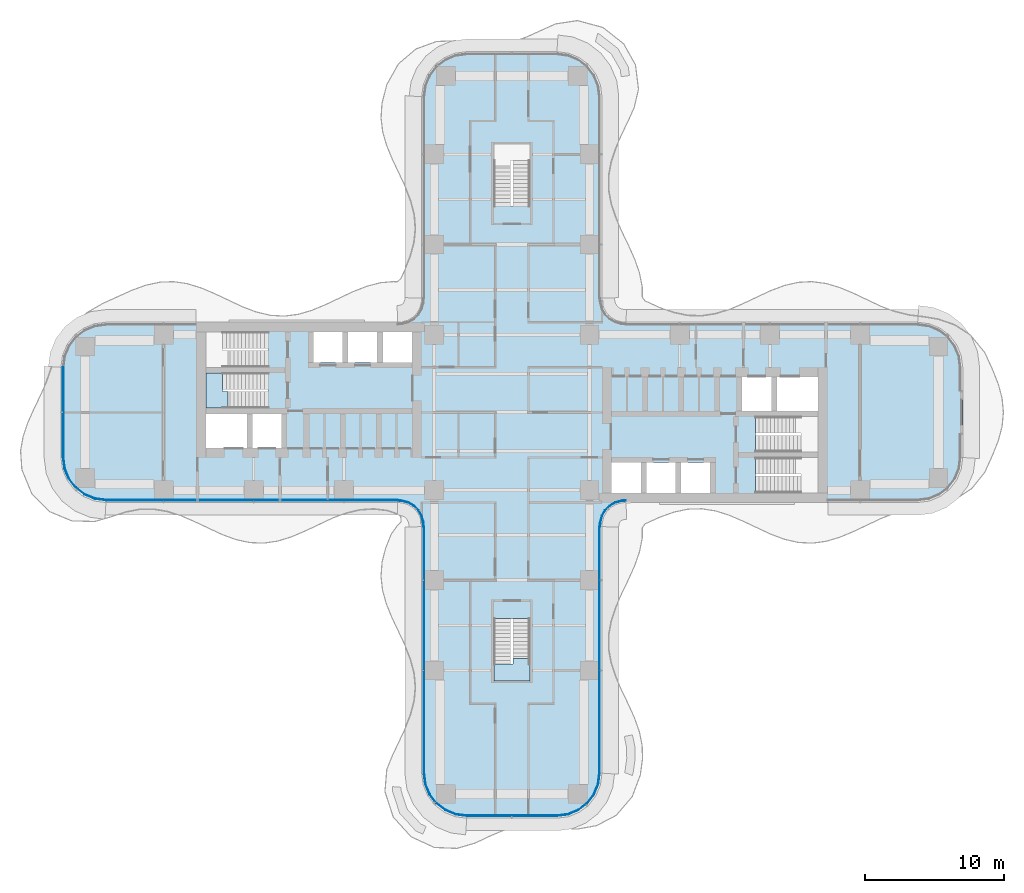
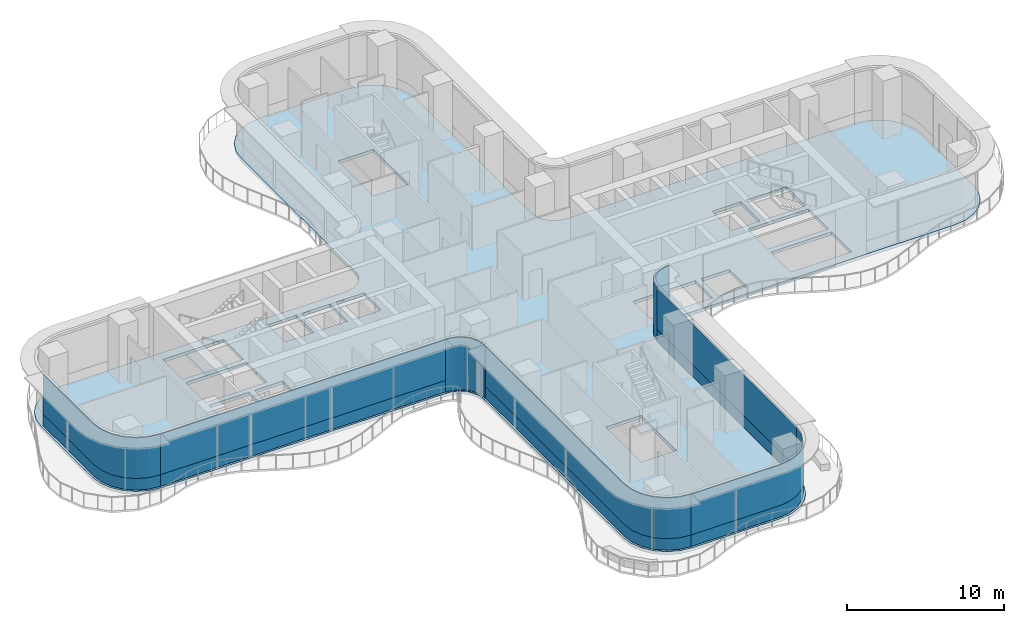
# One storey, part 14 of 22: 12 plates, 3 slabs, 9 elements without a shape of their own.
"""IFC4 building model written with IfcOpenShell, lengths in metres."""

from ifc_helpers import new_model, si_unit, direction, frame, origin, place, context, subcontext, project, spatial, polyline, outline, extrude, source, transform, mapped, material, layer, layer_set, type_object, element, aggregate, save


model = new_model("IFC4")

# Units and contexts
model_context = context("Model", 3, precision=1e-05, world=origin(), true_north=direction((0.0, 1.0)))
body_context = subcontext(model_context, "Body", "Model", "MODEL_VIEW")
ifc_project = project(units=[si_unit("LENGTHUNIT", "METRE"), si_unit("AREAUNIT", "SQUARE_METRE"), si_unit("VOLUMEUNIT", "CUBIC_METRE"), si_unit("PLANEANGLEUNIT", "RADIAN"), si_unit("MASSUNIT", "GRAM", prefix="KILO")], contexts=[model_context])

# Site, building, storey
site_placement = place(None, origin())
site = spatial("IfcSite", under=ifc_project, at=site_placement, CompositionType="ELEMENT")
building_placement = place(site_placement, origin())
building = spatial("IfcBuilding", under=site, at=building_placement, Name="Trellis Farm Tower", CompositionType="ELEMENT")
storey_placement = place(building_placement, frame((0.0, 0.0, 79.0)))
storey = spatial("IfcBuildingStorey", under=building, at=storey_placement, Name="L16", CompositionType="ELEMENT", Elevation=79.0)

# Slab
ifc_material_1 = material(Name="Concrete C40/50", Category="concrete")
ifc_layer_1 = layer(ifc_material_1, 0.25)
ifc_layer_set_1 = layer_set([ifc_layer_1], Name="Composite deck floor slab 250")
slab_type_1 = type_object("IfcSlabType", Name="Composite deck floor slab 250", PredefinedType="FLOOR", material=ifc_layer_set_1)
shared_shape_1 = source(origin(), body_context, "Body", "SweptSolid", [
    extrude(outline(polyline([(-30.09130859375, -6.389404296875), (-30.875, -6.064697265625), (-31.548095703125, -5.548095703125), (-32.064697265625, -4.875), (-32.389404296875, -4.09130859375), (-32.5, -3.25), (-32.5, 3.25), (-32.389404296875, 4.09130859375), (-32.064697265625, 4.875), (-31.548095703125, 5.548095703125), (-30.875, 6.064697265625), (-30.09130859375, 6.389404296875), (-29.25, 6.5), (-8.2314453125, 6.5), (-8.01953125, 6.513916015625), (-7.91552734375, 6.527587890625), (-7.508544921875, 6.63671875), (-7.144287109375, 6.846923828125), (-6.846923828125, 7.144287109375), (-6.63671875, 7.508544921875), (-6.527587890625, 7.91552734375), (-6.513916015625, 8.01953125), (-6.5, 8.2314453125), (-6.5, 22.75), (-6.389404296875, 23.59130859375), (-6.064697265625, 24.375), (-5.548095703125, 25.048095703125), (-4.875, 25.564697265625), (-4.09130859375, 25.889404296875), (-3.25, 26.0), (3.25, 26.0), (4.09130859375, 25.889404296875), (4.875, 25.564697265625), (5.548095703125, 25.048095703125), (6.064697265625, 24.375), (6.389404296875, 23.59130859375), (6.5, 22.75), (6.5, 8.2314453125), (6.513916015625, 8.01953125), (6.527587890625, 7.91552734375), (6.63671875, 7.508544921875), (6.846923828125, 7.144287109375), (7.144287109375, 6.846923828125), (7.508544921875, 6.63671875), (7.91552734375, 6.527587890625), (8.01953125, 6.513916015625), (8.2314453125, 6.5), (29.25, 6.5), (30.09130859375, 6.389404296875), (30.875, 6.064697265625), (31.548095703125, 5.548095703125), (32.064697265625, 4.875), (32.389404296875, 4.09130859375), (32.5, 3.25), (32.5, -3.25), (32.389404296875, -4.09130859375), (32.064697265625, -4.875), (31.548095703125, -5.548095703125), (30.875, -6.064697265625), (30.09130859375, -6.389404296875), (29.25, -6.5), (8.2314453125, -6.5), (8.01953125, -6.513916015625), (7.91552734375, -6.527587890625), (7.508544921875, -6.63671875), (7.144287109375, -6.846923828125), (6.846923828125, -7.144287109375), (6.63671875, -7.508544921875), (6.527587890625, -7.91552734375), (6.513916015625, -8.01953125), (6.5, -8.2314453125), (6.5, -26.0), (6.389404296875, -26.84130859375), (6.064697265625, -27.625), (5.548095703125, -28.298095703125), (4.875, -28.814697265625), (4.09130859375, -29.139404296875), (3.25, -29.25), (-3.25, -29.25), (-4.09130859375, -29.139404296875), (-4.875, -28.814697265625), (-5.548095703125, -28.298095703125), (-6.064697265625, -27.625), (-6.389404296875, -26.84130859375), (-6.5, -26.0), (-6.5, -8.2314453125), (-6.513916015625, -8.01953125), (-6.527587890625, -7.91552734375), (-6.63671875, -7.508544921875), (-6.846923828125, -7.144287109375), (-7.144287109375, -6.846923828125), (-7.508544921875, -6.63671875), (-7.91552734375, -6.527587890625), (-8.01953125, -6.513916015625), (-8.2314453125, -6.5), (-29.25, -6.5), (-30.09130859375, -6.389404296875)]), holes=[polyline([(-22.050048828125, -0.10009765625), (-22.050048828125, -2.550048828125), (-19.10009765625, -2.550048828125), (-19.10009765625, -0.10009765625), (-22.050048828125, -0.10009765625)]), polyline([(-18.699951171875, -0.10009765625), (-18.699951171875, -2.550048828125), (-16.60009765625, -2.550048828125), (-16.60009765625, -0.10009765625), (-18.699951171875, -0.10009765625)]), polyline([(-17.56201171875, 1.64990234375), (-17.56201171875, 2.85009765625), (-22.050048828125, 2.85009765625), (-22.050048828125, 0.300048828125), (-17.56005859375, 0.300048828125), (-17.56005859375, 1.5), (-17.550048828125, 1.5), (-17.550048828125, 1.64990234375), (-17.56201171875, 1.64990234375)]), polyline([(-17.56201171875, 4.60009765625), (-17.56201171875, 5.800048828125), (-22.050048828125, 5.800048828125), (-22.050048828125, 3.25), (-17.56005859375, 3.25), (-17.56005859375, 4.449951171875), (-17.550048828125, 4.449951171875), (-17.550048828125, 4.60009765625), (-17.56201171875, 4.60009765625)]), polyline([(-14.300048828125, 5.800048828125), (-14.300048828125, 3.60009765625), (-12.199951171875, 3.60009765625), (-12.199951171875, 5.800048828125), (-14.300048828125, 5.800048828125)]), polyline([(-11.800048828125, 5.800048828125), (-11.800048828125, 3.60009765625), (-9.699951171875, 3.60009765625), (-9.699951171875, 5.800048828125), (-11.800048828125, 5.800048828125)]), polyline([(-9.300048828125, 5.800048828125), (-9.300048828125, 3.60009765625), (-7.199951171875, 3.60009765625), (-7.199951171875, 5.800048828125), (-9.300048828125, 5.800048828125)]), polyline([(0.10009765625, 14.862060546875), (1.300048828125, 14.862060546875), (1.300048828125, 19.35009765625), (-1.300048828125, 19.35009765625), (-1.300048828125, 14.860107421875), (-0.10009765625, 14.860107421875), (-0.10009765625, 14.85009765625), (0.10009765625, 14.85009765625), (0.10009765625, 14.862060546875)]), polyline([(-0.10009765625, -14.862060546875), (-1.300048828125, -14.862060546875), (-1.300048828125, -19.35009765625), (1.300048828125, -19.35009765625), (1.300048828125, -14.860107421875), (0.10009765625, -14.860107421875), (0.10009765625, -14.85009765625), (-0.10009765625, -14.85009765625), (-0.10009765625, -14.862060546875)]), polyline([(9.300048828125, -5.800048828125), (9.300048828125, -3.60009765625), (7.199951171875, -3.60009765625), (7.199951171875, -5.800048828125), (9.300048828125, -5.800048828125)]), polyline([(11.800048828125, -5.800048828125), (11.800048828125, -3.60009765625), (9.699951171875, -3.60009765625), (9.699951171875, -5.800048828125), (11.800048828125, -5.800048828125)]), polyline([(14.300048828125, -5.800048828125), (14.300048828125, -3.60009765625), (12.199951171875, -3.60009765625), (12.199951171875, -5.800048828125), (14.300048828125, -5.800048828125)]), polyline([(17.56201171875, -4.60009765625), (17.56201171875, -5.800048828125), (22.050048828125, -5.800048828125), (22.050048828125, -3.25), (17.56005859375, -3.25), (17.56005859375, -4.449951171875), (17.550048828125, -4.449951171875), (17.550048828125, -4.60009765625), (17.56201171875, -4.60009765625)]), polyline([(17.56201171875, -1.64990234375), (17.56201171875, -2.85009765625), (22.050048828125, -2.85009765625), (22.050048828125, -0.300048828125), (17.56005859375, -0.300048828125), (17.56005859375, -1.5), (17.550048828125, -1.5), (17.550048828125, -1.64990234375), (17.56201171875, -1.64990234375)]), polyline([(18.699951171875, 0.10009765625), (18.699951171875, 2.550048828125), (16.60009765625, 2.550048828125), (16.60009765625, 0.10009765625), (18.699951171875, 0.10009765625)]), polyline([(22.050048828125, 0.10009765625), (22.050048828125, 2.550048828125), (19.10009765625, 2.550048828125), (19.10009765625, 0.10009765625), (22.050048828125, 0.10009765625)])]), origin(), (0.0, 0.0, 1.0), 0.25),
])
slab_1_placement = place(storey_placement, frame((0.0, 0.0, -0.25)))
element("IfcSlab", 1, at=slab_1_placement, inside=storey, type_object=slab_type_1, Name="Floor slab", PredefinedType="FLOOR", context=body_context, shape_type="MappedRepresentation", body=[
    mapped(shared_shape_1, transform((0.0, 0.0, 0.0))),
])

# Stair, slab
ifc_material_2 = material(Name="Concrete C50/60", Category="concrete")
stair_type = type_object("IfcStairType", Name="CORE EXIT STAIR 26 RISERS 173 MM", PredefinedType="HALF_TURN_STAIR", material=ifc_material_2)
placement_1 = place(storey_placement, origin())
stair_1 = element("IfcStair", 2, at=placement_1, inside=storey, type_object=stair_type, Name="Exit stair S", PredefinedType="HALF_TURN_STAIR")
ifc_layer_2 = layer(ifc_material_2, 0.18994140625)
ifc_layer_set_2 = layer_set([ifc_layer_2], Name="CORE STAIR LANDING 190 CONCRETE C50/60")
slab_type_2 = type_object("IfcSlabType", Name="CORE STAIR LANDING 190 CONCRETE C50/60", PredefinedType="LANDING", material=ifc_layer_set_2)
shared_shape_2 = source(origin(), body_context, "Body", "SweptSolid", [
    extrude(outline(polyline([(1.300048828125, -19.35009765625), (-1.300048828125, -19.35009765625), (-1.300048828125, -18.14990234375), (-1.300048828125, -18.139892578125), (-0.10009765625, -18.139892578125), (-0.10009765625, -18.14990234375), (0.10009765625, -18.14990234375), (0.10009765625, -17.753173828125), (1.300048828125, -17.753173828125), (1.300048828125, -18.14990234375), (1.300048828125, -19.35009765625)])), origin(), (0.0, 0.0, 1.0), 0.18994140625),
])
placement_2 = place(storey_placement, frame((0.0, 0.0, 2.06005859375)))
slab_2 = element("IfcSlab", 3, at=placement_2, type_object=slab_type_2, Name="STS landing 1", PredefinedType="LANDING", context=body_context, shape_type="MappedRepresentation", body=[
    mapped(shared_shape_2, transform((0.0, 0.0, 0.0))),
])
aggregate(stair_1, [slab_2])

stair_2 = element("IfcStair", 4, at=placement_1, inside=storey, type_object=stair_type, Name="Exit stair W2", PredefinedType="HALF_TURN_STAIR")
shared_shape_3 = source(origin(), body_context, "Body", "SweptSolid", [
    extrude(outline(polyline([(-20.453125, 1.5), (-20.453125, 0.300048828125), (-20.85009765625, 0.300048828125), (-22.050048828125, 0.300048828125), (-22.050048828125, 2.85009765625), (-20.85009765625, 2.85009765625), (-20.840087890625, 2.85009765625), (-20.840087890625, 1.64990234375), (-20.85009765625, 1.64990234375), (-20.85009765625, 1.5), (-20.453125, 1.5)])), origin(), (0.0, 0.0, 1.0), 0.18994140625),
])
slab_3 = element("IfcSlab", 5, at=placement_2, type_object=slab_type_2, Name="STW2 landing 1", PredefinedType="LANDING", context=body_context, shape_type="MappedRepresentation", body=[
    mapped(shared_shape_3, transform((0.0, 0.0, 0.0))),
])
aggregate(stair_2, [slab_3])

# Curtain wall, plates
ifc_material_3 = material(Name="Aluminium and glass curtain wall", Category="aluminium")
ifc_layer_3 = layer(ifc_material_3, 0.18994140625)
ifc_layer_set_3 = layer_set([ifc_layer_3], Name="RIBBON CURTAIN WALL CW1")
curtain_wall_type_1 = type_object("IfcCurtainWallType", Name="RIBBON CURTAIN WALL CW1", PredefinedType="NOTDEFINED", material=ifc_layer_set_3)
curtain_wall_1 = element("IfcCurtainWall", 6, at=placement_1, inside=storey, type_object=curtain_wall_type_1, Name="CW1 001", PredefinedType="NOTDEFINED")
ifc_material_4 = material(Name="Clear insulated glass", Category="glass")
ifc_layer_4 = layer(ifc_material_4, 0.0400390625)
ifc_layer_set_4 = layer_set([ifc_layer_4], Name="CW1 GLASS PANEL 40")
plate_type_1 = type_object("IfcPlateType", Name="CW1 GLASS PANEL 40", PredefinedType="CURTAIN_PANEL", material=ifc_layer_set_4)
shared_shape_4 = source(origin(), body_context, "Body", "SweptSolid", [
    extrude(outline(polyline([(-29.240234375, -6.35009765625), (-8.2265625, -6.35009765625), (-8.22509765625, -6.31005859375), (-29.237548828125, -6.31005859375), (-29.240234375, -6.35009765625)])), origin(), (0.0, 0.0, 1.0), 3.170166015625),
])
placement_3 = place(storey_placement, frame((0.0, 0.0, 0.89990234375)))
plate_1 = element("IfcPlate", 7, at=placement_3, type_object=plate_type_1, Name="PL1 001", PredefinedType="CURTAIN_PANEL", context=body_context, shape_type="MappedRepresentation", body=[
    mapped(shared_shape_4, transform((0.0, 0.0, 0.0))),
])
ifc_material_5 = material(Name="Sandstone faced insulated panel", Category="masonry")
ifc_layer_5 = layer(ifc_material_5, 0.050048828125)
ifc_layer_set_5 = layer_set([ifc_layer_5], Name="CW1 STONE SPANDREL PANEL 50")
plate_type_2 = type_object("IfcPlateType", Name="CW1 STONE SPANDREL PANEL 50", PredefinedType="CURTAIN_PANEL", material=ifc_layer_set_5)
shared_shape_5 = source(origin(), body_context, "Body", "SweptSolid", [
    extrude(outline(polyline([(-29.240234375, -6.35009765625), (-8.2265625, -6.35009765625), (-8.224853515625, -6.300048828125), (-29.23681640625, -6.300048828125), (-29.240234375, -6.35009765625)])), origin(), (0.0, 0.0, 1.0), 0.89990234375),
])
plate_2 = element("IfcPlate", 8, at=placement_1, type_object=plate_type_2, Name="PS1 001", PredefinedType="CURTAIN_PANEL", context=body_context, shape_type="MappedRepresentation", body=[
    mapped(shared_shape_5, transform((0.0, 0.0, 0.0))),
])
aggregate(curtain_wall_1, [plate_1, plate_2])

# Curtain wall, plate
ifc_layer_6 = layer(ifc_material_3, 0.166015625)
ifc_layer_set_6 = layer_set([ifc_layer_6], Name="WINTER GARDEN CURTAIN WALL CW3")
curtain_wall_type_2 = type_object("IfcCurtainWallType", Name="WINTER GARDEN CURTAIN WALL CW3", PredefinedType="NOTDEFINED", material=ifc_layer_set_6)
curtain_wall_2 = element("IfcCurtainWall", 9, at=placement_1, inside=storey, type_object=curtain_wall_type_2, Name="CW3 001", PredefinedType="NOTDEFINED")
ifc_layer_7 = layer(ifc_material_4, 0.0458984375)
ifc_layer_set_7 = layer_set([ifc_layer_7], Name="CW3 GLASS PANEL 46")
plate_type_3 = type_object("IfcPlateType", Name="CW3 GLASS PANEL 46", PredefinedType="CURTAIN_PANEL", material=ifc_layer_set_7)
shared_shape_6 = source(origin(), body_context, "Body", "SweptSolid", [
    extrude(outline(polyline([(-8.2275390625, -6.3798828125), (-8.0078125, -6.394287109375), (-7.89208984375, -6.40966796875), (-7.462158203125, -6.52490234375), (-7.070556640625, -6.7509765625), (-6.7509765625, -7.070556640625), (-6.52490234375, -7.462158203125), (-6.40966796875, -7.89208984375), (-6.394287109375, -8.0078125), (-6.3798828125, -8.2275390625), (-6.333984375, -8.22607421875), (-6.3486328125, -8.003173828125), (-6.364501953125, -7.883056640625), (-6.48193359375, -7.4443359375), (-6.714111328125, -7.04248046875), (-7.04248046875, -6.714111328125), (-7.4443359375, -6.48193359375), (-7.883056640625, -6.364501953125), (-8.003173828125, -6.3486328125), (-8.22607421875, -6.333984375), (-8.2275390625, -6.3798828125)])), origin(), (0.0, 0.0, 1.0), 4.10009765625),
])
plate_3 = element("IfcPlate", 10, at=placement_1, type_object=plate_type_3, Name="PL3 001", PredefinedType="CURTAIN_PANEL", context=body_context, shape_type="MappedRepresentation", body=[
    mapped(shared_shape_6, transform((0.0, 0.0, 0.0))),
])
aggregate(curtain_wall_2, [plate_3])

# Curtain wall, plates
curtain_wall_3 = element("IfcCurtainWall", 11, at=placement_1, inside=storey, type_object=curtain_wall_type_1, Name="CW1 003", PredefinedType="NOTDEFINED")
shared_shape_7 = source(origin(), body_context, "Body", "SweptSolid", [
    extrude(outline(polyline([(-3.240234375, -29.10009765625), (3.240234375, -29.10009765625), (4.052001953125, -28.9931640625), (4.79931640625, -28.68359375), (5.441162109375, -28.191162109375), (5.93359375, -27.54931640625), (6.2431640625, -26.802001953125), (6.35009765625, -25.990234375), (6.31005859375, -25.987548828125), (6.2041015625, -26.79150390625), (5.898681640625, -27.529296875), (5.41259765625, -28.16259765625), (4.779296875, -28.648681640625), (4.04150390625, -28.9541015625), (3.237548828125, -29.06005859375), (-3.237548828125, -29.06005859375), (-3.240234375, -29.10009765625)])), origin(), (0.0, 0.0, 1.0), 3.170166015625),
])
plate_4 = element("IfcPlate", 12, at=placement_3, type_object=plate_type_1, Name="PL1 003", PredefinedType="CURTAIN_PANEL", context=body_context, shape_type="MappedRepresentation", body=[
    mapped(shared_shape_7, transform((0.0, 0.0, 0.0))),
])
shared_shape_8 = source(origin(), body_context, "Body", "SweptSolid", [
    extrude(outline(polyline([(-3.240234375, -29.10009765625), (3.240234375, -29.10009765625), (4.052001953125, -28.9931640625), (4.79931640625, -28.68359375), (5.441162109375, -28.191162109375), (5.93359375, -27.54931640625), (6.2431640625, -26.802001953125), (6.35009765625, -25.990234375), (6.300048828125, -25.98681640625), (6.1943359375, -26.7890625), (5.889892578125, -27.524169921875), (5.405517578125, -28.155517578125), (4.774169921875, -28.639892578125), (4.0390625, -28.9443359375), (3.23681640625, -29.050048828125), (-3.23681640625, -29.050048828125), (-3.240234375, -29.10009765625)])), origin(), (0.0, 0.0, 1.0), 0.89990234375),
])
plate_5 = element("IfcPlate", 13, at=placement_1, type_object=plate_type_2, Name="PS1 003", PredefinedType="CURTAIN_PANEL", context=body_context, shape_type="MappedRepresentation", body=[
    mapped(shared_shape_8, transform((0.0, 0.0, 0.0))),
])
aggregate(curtain_wall_3, [plate_4, plate_5])

curtain_wall_4 = element("IfcCurtainWall", 14, at=placement_1, inside=storey, type_object=curtain_wall_type_1, Name="CW1 004", PredefinedType="NOTDEFINED")
shared_shape_9 = source(origin(), body_context, "Body", "SweptSolid", [
    extrude(outline(polyline([(6.35009765625, -25.990234375), (6.35009765625, -8.2265625), (6.31005859375, -8.22509765625), (6.31005859375, -25.987548828125), (6.35009765625, -25.990234375)])), origin(), (0.0, 0.0, 1.0), 3.170166015625),
])
plate_6 = element("IfcPlate", 15, at=placement_3, type_object=plate_type_1, Name="PL1 004", PredefinedType="CURTAIN_PANEL", context=body_context, shape_type="MappedRepresentation", body=[
    mapped(shared_shape_9, transform((0.0, 0.0, 0.0))),
])
shared_shape_10 = source(origin(), body_context, "Body", "SweptSolid", [
    extrude(outline(polyline([(6.35009765625, -25.990234375), (6.35009765625, -8.2265625), (6.300048828125, -8.224853515625), (6.300048828125, -25.98681640625), (6.35009765625, -25.990234375)])), origin(), (0.0, 0.0, 1.0), 0.89990234375),
])
plate_7 = element("IfcPlate", 16, at=placement_1, type_object=plate_type_2, Name="PS1 004", PredefinedType="CURTAIN_PANEL", context=body_context, shape_type="MappedRepresentation", body=[
    mapped(shared_shape_10, transform((0.0, 0.0, 0.0))),
])
aggregate(curtain_wall_4, [plate_6, plate_7])

# Curtain wall, plate
curtain_wall_5 = element("IfcCurtainWall", 17, at=placement_1, inside=storey, type_object=curtain_wall_type_2, Name="CW3 002", PredefinedType="NOTDEFINED")
shared_shape_11 = source(origin(), body_context, "Body", "SweptSolid", [
    extrude(outline(polyline([(6.3798828125, -8.2275390625), (6.394287109375, -8.0078125), (6.40966796875, -7.89208984375), (6.52490234375, -7.462158203125), (6.7509765625, -7.070556640625), (7.070556640625, -6.7509765625), (7.462158203125, -6.52490234375), (7.89208984375, -6.40966796875), (8.0078125, -6.394287109375), (8.2275390625, -6.3798828125), (8.22607421875, -6.333984375), (8.003173828125, -6.3486328125), (7.883056640625, -6.364501953125), (7.4443359375, -6.48193359375), (7.04248046875, -6.714111328125), (6.714111328125, -7.04248046875), (6.48193359375, -7.4443359375), (6.364501953125, -7.883056640625), (6.3486328125, -8.003173828125), (6.333984375, -8.22607421875), (6.3798828125, -8.2275390625)])), origin(), (0.0, 0.0, 1.0), 4.10009765625),
])
plate_8 = element("IfcPlate", 18, at=placement_1, type_object=plate_type_3, Name="PL3 002", PredefinedType="CURTAIN_PANEL", context=body_context, shape_type="MappedRepresentation", body=[
    mapped(shared_shape_11, transform((0.0, 0.0, 0.0))),
])
aggregate(curtain_wall_5, [plate_8])

# Curtain wall, plates
curtain_wall_6 = element("IfcCurtainWall", 19, at=placement_1, inside=storey, type_object=curtain_wall_type_1, Name="CW1 002", PredefinedType="NOTDEFINED")
shared_shape_12 = source(origin(), body_context, "Body", "SweptSolid", [
    extrude(outline(polyline([(-6.35009765625, -8.2265625), (-6.35009765625, -25.990234375), (-6.2431640625, -26.802001953125), (-5.93359375, -27.54931640625), (-5.441162109375, -28.191162109375), (-4.79931640625, -28.68359375), (-4.052001953125, -28.9931640625), (-3.240234375, -29.10009765625), (-3.237548828125, -29.06005859375), (-4.04150390625, -28.9541015625), (-4.779296875, -28.648681640625), (-5.41259765625, -28.16259765625), (-5.898681640625, -27.529296875), (-6.2041015625, -26.79150390625), (-6.31005859375, -25.987548828125), (-6.31005859375, -8.22509765625), (-6.35009765625, -8.2265625)])), origin(), (0.0, 0.0, 1.0), 3.170166015625),
])
plate_9 = element("IfcPlate", 20, at=placement_3, type_object=plate_type_1, Name="PL1 002", PredefinedType="CURTAIN_PANEL", context=body_context, shape_type="MappedRepresentation", body=[
    mapped(shared_shape_12, transform((0.0, 0.0, 0.0))),
])
shared_shape_13 = source(origin(), body_context, "Body", "SweptSolid", [
    extrude(outline(polyline([(-6.35009765625, -8.2265625), (-6.35009765625, -25.990234375), (-6.2431640625, -26.802001953125), (-5.93359375, -27.54931640625), (-5.441162109375, -28.191162109375), (-4.79931640625, -28.68359375), (-4.052001953125, -28.9931640625), (-3.240234375, -29.10009765625), (-3.23681640625, -29.050048828125), (-4.0390625, -28.9443359375), (-4.774169921875, -28.639892578125), (-5.405517578125, -28.155517578125), (-5.889892578125, -27.524169921875), (-6.1943359375, -26.7890625), (-6.300048828125, -25.98681640625), (-6.300048828125, -8.224853515625), (-6.35009765625, -8.2265625)])), origin(), (0.0, 0.0, 1.0), 0.89990234375),
])
plate_10 = element("IfcPlate", 21, at=placement_1, type_object=plate_type_2, Name="PS1 002", PredefinedType="CURTAIN_PANEL", context=body_context, shape_type="MappedRepresentation", body=[
    mapped(shared_shape_13, transform((0.0, 0.0, 0.0))),
])
aggregate(curtain_wall_6, [plate_9, plate_10])

curtain_wall_7 = element("IfcCurtainWall", 22, at=placement_1, inside=storey, type_object=curtain_wall_type_1, Name="CW1 013", PredefinedType="NOTDEFINED")
shared_shape_14 = source(origin(), body_context, "Body", "SweptSolid", [
    extrude(outline(polyline([(-32.35009765625, 3.240234375), (-32.35009765625, -3.240234375), (-32.2431640625, -4.052001953125), (-31.93359375, -4.79931640625), (-31.441162109375, -5.441162109375), (-30.79931640625, -5.93359375), (-30.052001953125, -6.2431640625), (-29.240234375, -6.35009765625), (-29.237548828125, -6.31005859375), (-30.04150390625, -6.2041015625), (-30.779296875, -5.898681640625), (-31.41259765625, -5.41259765625), (-31.898681640625, -4.779296875), (-32.2041015625, -4.04150390625), (-32.31005859375, -3.237548828125), (-32.31005859375, 3.237548828125), (-32.35009765625, 3.240234375)])), origin(), (0.0, 0.0, 1.0), 3.170166015625),
])
plate_11 = element("IfcPlate", 23, at=placement_3, type_object=plate_type_1, Name="PL1 013", PredefinedType="CURTAIN_PANEL", context=body_context, shape_type="MappedRepresentation", body=[
    mapped(shared_shape_14, transform((0.0, 0.0, 0.0))),
])
shared_shape_15 = source(origin(), body_context, "Body", "SweptSolid", [
    extrude(outline(polyline([(-32.35009765625, 3.240234375), (-32.35009765625, -3.240234375), (-32.2431640625, -4.052001953125), (-31.93359375, -4.79931640625), (-31.441162109375, -5.441162109375), (-30.79931640625, -5.93359375), (-30.052001953125, -6.2431640625), (-29.240234375, -6.35009765625), (-29.23681640625, -6.300048828125), (-30.0390625, -6.1943359375), (-30.774169921875, -5.889892578125), (-31.405517578125, -5.405517578125), (-31.889892578125, -4.774169921875), (-32.1943359375, -4.0390625), (-32.300048828125, -3.23681640625), (-32.300048828125, 3.23681640625), (-32.35009765625, 3.240234375)])), origin(), (0.0, 0.0, 1.0), 0.89990234375),
])
plate_12 = element("IfcPlate", 24, at=placement_1, type_object=plate_type_2, Name="PS1 013", PredefinedType="CURTAIN_PANEL", context=body_context, shape_type="MappedRepresentation", body=[
    mapped(shared_shape_15, transform((0.0, 0.0, 0.0))),
])
aggregate(curtain_wall_7, [plate_11, plate_12])

save(model, "model.ifc")
